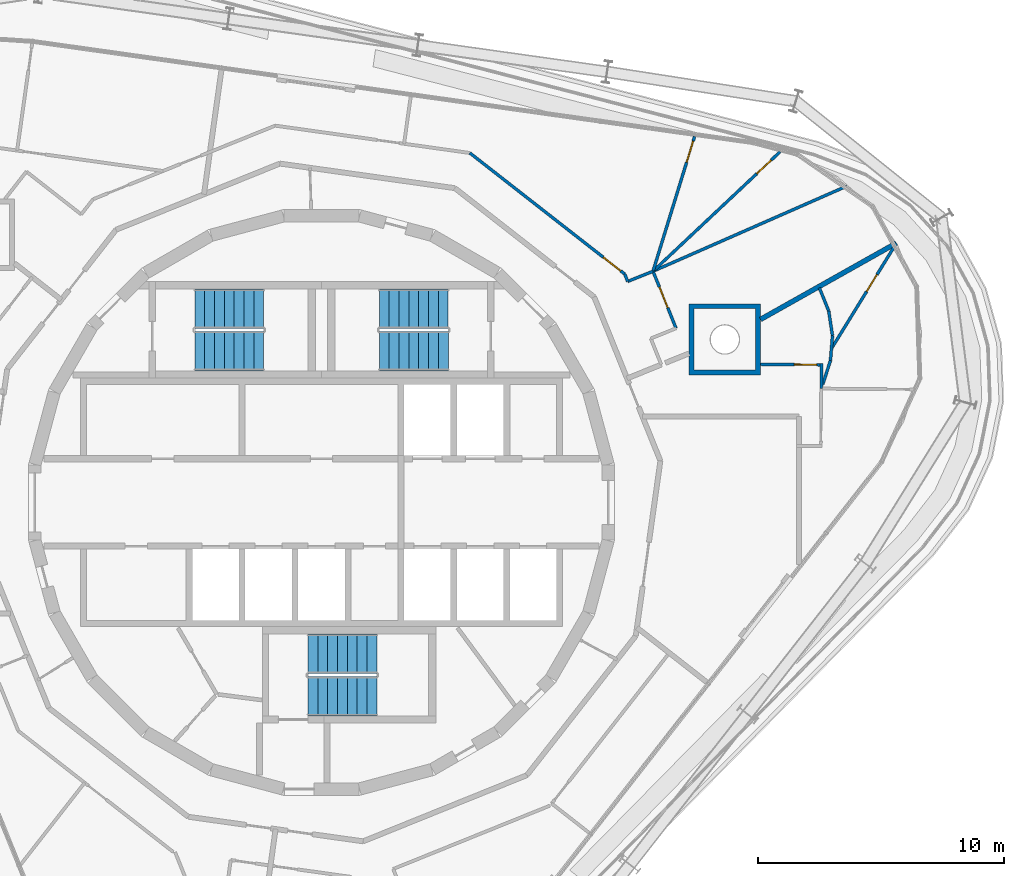
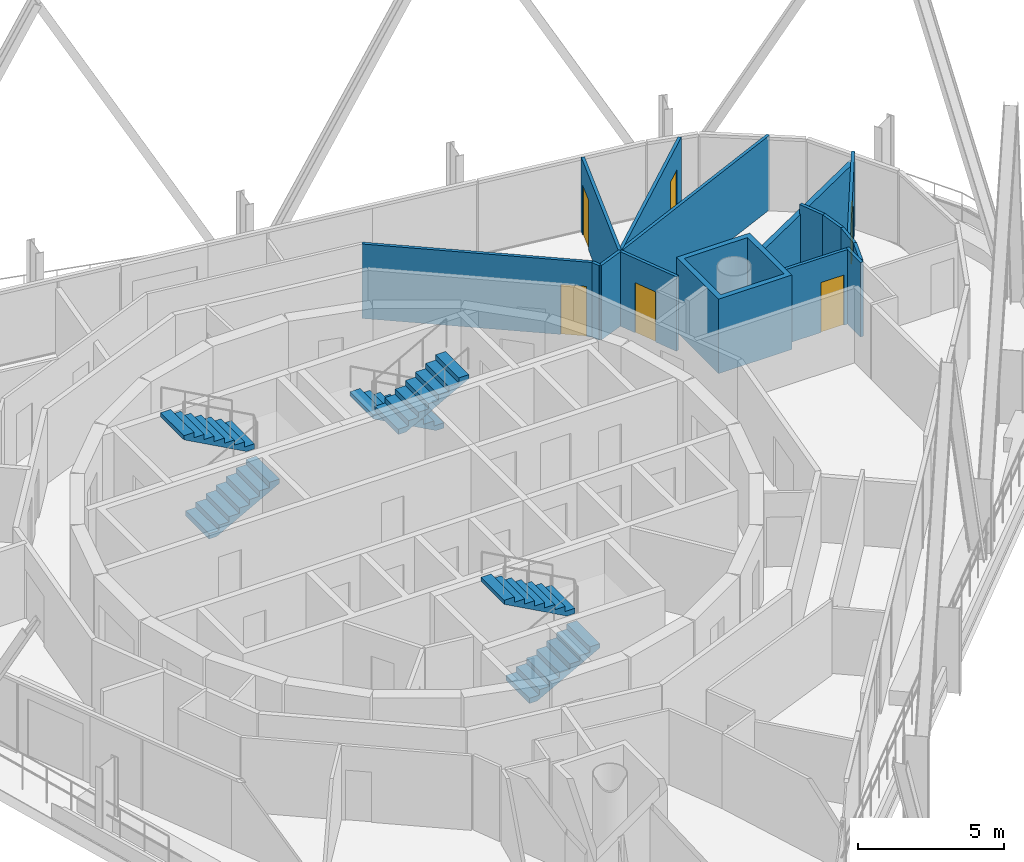
# One storey, part 14 of 17: 16 walls, 6 doors, 6 stair flights, 6 openings, 3 elements without a shape of their own.
"""IFC4 building model written with IfcOpenShell, lengths in metres."""

from ifc_helpers import new_model, si_unit, direction, frame, frame_2d, origin, place, context, subcontext, project, spatial, polyline, rectangle, outline, extrude, material, layer, layer_set, type_object, element, fill, aggregate, save


model = new_model("IFC4")

# Units and contexts
model_context = context("Model", 3, precision=1e-05, world=origin(), true_north=direction((0.0, 1.0)))
body_context = subcontext(model_context, "Body", "Model", "MODEL_VIEW")
ifc_project = project(units=[si_unit("LENGTHUNIT", "METRE"), si_unit("AREAUNIT", "SQUARE_METRE"), si_unit("VOLUMEUNIT", "CUBIC_METRE"), si_unit("PLANEANGLEUNIT", "RADIAN"), si_unit("MASSUNIT", "GRAM", prefix="KILO")], contexts=[model_context])

# Site, building, storey
site_placement = place(None, origin())
site = spatial("IfcSite", under=ifc_project, at=site_placement, CompositionType="ELEMENT")
building_placement = place(site_placement, origin())
building = spatial("IfcBuilding", under=site, at=building_placement, Name="Spindle Arch Residences", CompositionType="ELEMENT")
storey_placement = place(building_placement, frame((0.0, 0.0, 333.0)))
storey = spatial("IfcBuildingStorey", under=building, at=storey_placement, Name="L85", CompositionType="ELEMENT", Elevation=333.0)

# Wall
ifc_material_1 = material(Name="Plasterboard on steel studs", Category="steel")
ifc_layer_1 = layer(ifc_material_1, 0.1201171875)
ifc_layer_set_1 = layer_set([ifc_layer_1], Name="Flat partition 120")
wall_type_1 = type_object("IfcWallType", Name="Flat partition 120", PredefinedType="PARTITIONING", material=ifc_layer_set_1)
wall_1_placement = place(storey_placement, frame((20.30615234375, 4.638671875, 0.0), z_axis=(0.0, 0.0, 1.0), x_axis=(0.008906724211, 0.999960334345, 0.0)))
element("IfcWall", 1, at=wall_1_placement, inside=storey, type_object=wall_type_1, Name="Flat partition R9A0-W033", PredefinedType="PARTITIONING", context=body_context, shape_type="SweptSolid", body=[
    extrude(rectangle(XDim=1.01416015625, YDim=0.1201171875, at=frame_2d((0.507080078125, 0.0))), origin(), (0.0, 0.0, 1.0), 3.1201171875),
])

# Wall, opening, door
wall_2_placement = place(storey_placement, frame((20.314697265625, 5.593017578125, 0.0), z_axis=(0.0, 0.0, 1.0), x_axis=(-0.999960597409, 0.008877140833, 0.0)))
wall_2 = element("IfcWall", 2, at=wall_2_placement, inside=storey, type_object=wall_type_1, Name="Flat partition R9A0-W034", PredefinedType="PARTITIONING", context=body_context, shape_type="SweptSolid", body=[
    extrude(rectangle(XDim=2.47509765625, YDim=0.1201171875, at=frame_2d((1.237548828125, 0.0))), origin(), (0.0, 0.0, 1.0), 3.1201171875),
])
opening_1_placement = place(wall_2_placement, frame((0.199951171875, 0.0, 0.0)))
opening_1 = element("IfcOpeningElement", 3, at=opening_1_placement, cuts=wall_2, Name="Opening R9A0-ID02", PredefinedType="OPENING", context=body_context, shape_type="SweptSolid", body=[
    extrude(rectangle(XDim=0.89990234375, YDim=2.10009765625, at=frame_2d((0.449951171875, 1.050048828125))), frame((0.0, 0.070068359375, 0.0), z_axis=(0.0, -1.0, 0.0), x_axis=(1.0, 0.0, 0.0)), (0.0, 0.0, 1.0), 0.14013671875),
])
ifc_material_2 = material(Name="Timber door set", Category="wood")
door_type_1 = type_object("IfcDoorType", Name="Room door 900x2100", OperationType="NOTDEFINED", PredefinedType="DOOR", material=ifc_material_2)
door_1_placement = place(opening_1_placement, origin())
door_1 = element("IfcDoor", 4, at=door_1_placement, inside=storey, type_object=door_type_1, Name="Room door R9A0-ID02", OperationType="SINGLE_SWING_RIGHT", OverallHeight=2.10009765625, OverallWidth=0.89990234375, PredefinedType="DOOR", context=body_context, shape_type="SweptSolid", body=[
    extrude(rectangle(XDim=0.89990234375, YDim=2.10009765625, at=frame_2d((0.449951171875, 1.050048828125))), frame((0.0, 0.02490234375, 0.0), z_axis=(0.0, -1.0, 0.0), x_axis=(1.0, 0.0, 0.0)), (0.0, 0.0, 1.0), 0.050048828125),
])
fill(opening_1, door_1)

# Walls
wall_3_placement = place(storey_placement, frame((20.762451171875, 6.774658203125, 0.0), z_axis=(0.0, 0.0, 1.0), x_axis=(-0.08121587, -0.996696534789, 0.0)))
element("IfcWall", 5, at=wall_3_placement, inside=storey, type_object=wall_type_1, Name="Flat partition R9A0-W036", PredefinedType="PARTITIONING", context=body_context, shape_type="SweptSolid", body=[
    extrude(rectangle(XDim=1.01611328125, YDim=0.1201171875, at=frame_2d((0.508056640625, 0.0))), origin(), (0.0, 0.0, 1.0), 3.1201171875),
])
wall_4_placement = place(storey_placement, frame((20.679931640625, 5.761962890625, 0.0), z_axis=(0.0, 0.0, 1.0), x_axis=(-0.30908063779, -0.951035834942, 0.0)))
element("IfcWall", 6, at=wall_4_placement, inside=storey, type_object=wall_type_1, Name="Flat partition R9A0-W037", PredefinedType="PARTITIONING", context=body_context, shape_type="SweptSolid", body=[
    extrude(rectangle(XDim=1.015869140625, YDim=0.1201171875, at=frame_2d((0.5078125, 0.0))), origin(), (0.0, 0.0, 1.0), 3.1201171875),
])

# Wall, opening, door
wall_5_placement = place(storey_placement, frame((23.357421875, 10.532470703125, 0.0), z_axis=(0.0, 0.0, 1.0), x_axis=(-0.524476563806, -0.851424884542, 0.0)))
wall_5 = element("IfcWall", 7, at=wall_5_placement, inside=storey, type_object=wall_type_1, Name="Flat partition R9A0-W038", PredefinedType="PARTITIONING", context=body_context, shape_type="SweptSolid", body=[
    extrude(rectangle(XDim=5.029296875, YDim=0.1201171875, at=frame_2d((2.5146484375, 0.0))), origin(), (0.0, 0.0, 1.0), 3.1201171875),
])
opening_2_placement = place(wall_5_placement, frame((1.5, 0.0, 0.0)))
opening_2 = element("IfcOpeningElement", 8, at=opening_2_placement, cuts=wall_5, Name="Opening R9A0-BD01", PredefinedType="OPENING", context=body_context, shape_type="SweptSolid", body=[
    extrude(rectangle(XDim=0.800048828125, YDim=2.10009765625, at=frame_2d((0.39990234375, 1.050048828125))), frame((0.0, 0.070068359375, 0.0), z_axis=(0.0, -1.0, 0.0), x_axis=(1.0, 0.0, 0.0)), (0.0, 0.0, 1.0), 0.14013671875),
])
ifc_material_3 = material(Name="Timber door set", Category="wood")
door_type_2 = type_object("IfcDoorType", Name="Bathroom door 800x2100", OperationType="NOTDEFINED", PredefinedType="DOOR", material=ifc_material_3)
door_2_placement = place(opening_2_placement, origin())
door_2 = element("IfcDoor", 9, at=door_2_placement, inside=storey, type_object=door_type_2, Name="Bathroom door R9A0-BD01", OperationType="SINGLE_SWING_RIGHT", OverallHeight=2.10009765625, OverallWidth=0.800048828125, PredefinedType="DOOR", context=body_context, shape_type="SweptSolid", body=[
    extrude(rectangle(XDim=0.800048828125, YDim=2.10009765625, at=frame_2d((0.39990234375, 1.050048828125))), frame((0.0, 0.02490234375, 0.0), z_axis=(0.0, -1.0, 0.0), x_axis=(1.0, 0.0, 0.0)), (0.0, 0.0, 1.0), 0.050048828125),
])
fill(opening_2, door_2)

# Walls
wall_6_placement = place(storey_placement, frame((20.762451171875, 6.774658203125, 0.0), z_axis=(0.0, 0.0, 1.0), x_axis=(-0.150702440861, 0.988579169474, 0.0)))
element("IfcWall", 10, at=wall_6_placement, inside=storey, type_object=wall_type_1, Name="Flat partition R9A0-W039", PredefinedType="PARTITIONING", context=body_context, shape_type="SweptSolid", body=[
    extrude(rectangle(XDim=1.015869140625, YDim=0.1201171875, at=frame_2d((0.5078125, 0.0))), origin(), (0.0, 0.0, 1.0), 3.1201171875),
])
wall_7_placement = place(storey_placement, frame((20.609375, 7.77880859375, 0.0), z_axis=(0.0, 0.0, 1.0), x_axis=(-0.374371668856, 0.927278735633, 0.0)))
element("IfcWall", 11, at=wall_7_placement, inside=storey, type_object=wall_type_1, Name="Flat partition R9A0-W040", PredefinedType="PARTITIONING", context=body_context, shape_type="SweptSolid", body=[
    extrude(rectangle(XDim=1.01611328125, YDim=0.1201171875, at=frame_2d((0.508056640625, 0.0))), origin(), (0.0, 0.0, 1.0), 3.1201171875),
])

# Wall, opening, door
wall_8_placement = place(storey_placement, frame((14.406494140625, 7.076416015625, 0.0), z_axis=(0.0, 0.0, 1.0), x_axis=(-0.374503415005, 0.927225534673, 0.0)))
wall_8 = element("IfcWall", 12, at=wall_8_placement, inside=storey, type_object=wall_type_1, Name="Flat partition R9A0-W043", PredefinedType="PARTITIONING", context=body_context, shape_type="SweptSolid", body=[
    extrude(rectangle(XDim=2.5, YDim=0.1201171875, at=frame_2d((1.25, 0.0))), origin(), (0.0, 0.0, 1.0), 3.1201171875),
])
opening_3_placement = place(wall_8_placement, frame((0.89990234375, 0.0, 0.0)))
opening_3 = element("IfcOpeningElement", 13, at=opening_3_placement, cuts=wall_8, Name="Opening R9A0-ID04", PredefinedType="OPENING", context=body_context, shape_type="SweptSolid", body=[
    extrude(rectangle(XDim=0.89990234375, YDim=2.10009765625, at=frame_2d((0.449951171875, 1.050048828125))), frame((0.0, 0.070068359375, 0.0), z_axis=(0.0, -1.0, 0.0), x_axis=(1.0, 0.0, 0.0)), (0.0, 0.0, 1.0), 0.14013671875),
])
door_3_placement = place(opening_3_placement, origin())
door_3 = element("IfcDoor", 14, at=door_3_placement, inside=storey, type_object=door_type_1, Name="Room door R9A0-ID04", OperationType="SINGLE_SWING_LEFT", OverallHeight=2.10009765625, OverallWidth=0.89990234375, PredefinedType="DOOR", context=body_context, shape_type="SweptSolid", body=[
    extrude(rectangle(XDim=0.89990234375, YDim=2.10009765625, at=frame_2d((0.449951171875, 1.050048828125))), frame((0.0, 0.02490234375, 0.0), z_axis=(0.0, -1.0, 0.0), x_axis=(1.0, 0.0, 0.0)), (0.0, 0.0, 1.0), 0.050048828125),
])
fill(opening_3, door_3)

# Walls
wall_9_placement = place(storey_placement, frame((13.47021484375, 9.39453125, 0.0), z_axis=(0.0, 0.0, 1.0), x_axis=(-0.927180061276, -0.374615982003, 0.0)))
element("IfcWall", 15, at=wall_9_placement, inside=storey, type_object=wall_type_1, Name="Flat partition R9A0-W044", PredefinedType="PARTITIONING", context=body_context, shape_type="SweptSolid", body=[
    extrude(rectangle(XDim=1.108642578125, YDim=0.1201171875, at=frame_2d((0.55419921875, 0.0))), origin(), (0.0, 0.0, 1.0), 3.1201171875),
])
wall_10_placement = place(storey_placement, frame((12.4423828125, 8.979248046875, 0.0), z_axis=(0.0, 0.0, 1.0), x_axis=(-0.374979656603, 0.927033039936, 0.0)))
element("IfcWall", 16, at=wall_10_placement, inside=storey, type_object=wall_type_1, Name="Flat partition R9A0-W045", PredefinedType="PARTITIONING", context=body_context, shape_type="SweptSolid", body=[
    extrude(rectangle(XDim=0.328125, YDim=0.1201171875, at=frame_2d((0.1640625, 0.0))), origin(), (0.0, 0.0, 1.0), 3.1201171875),
])

# Wall, opening, door
wall_11_placement = place(storey_placement, frame((12.3193359375, 9.283447265625, 0.0), z_axis=(0.0, 0.0, 1.0), x_axis=(-0.788000268464, 0.61567489546, 0.0)))
wall_11 = element("IfcWall", 17, at=wall_11_placement, inside=storey, type_object=wall_type_1, Name="Flat partition R9A0-W046", PredefinedType="PARTITIONING", context=body_context, shape_type="SweptSolid", body=[
    extrude(rectangle(XDim=7.98486328125, YDim=0.1201171875, at=frame_2d((3.992431640625, 0.0))), origin(), (0.0, 0.0, 1.0), 3.1201171875),
])
opening_4_placement = place(wall_11_placement, frame((0.199951171875, 0.0, 0.0)))
opening_4 = element("IfcOpeningElement", 18, at=opening_4_placement, cuts=wall_11, Name="Opening R9A0-ID05", PredefinedType="OPENING", context=body_context, shape_type="SweptSolid", body=[
    extrude(rectangle(XDim=0.89990234375, YDim=2.10009765625, at=frame_2d((0.449951171875, 1.050048828125))), frame((0.0, 0.070068359375, 0.0), z_axis=(0.0, -1.0, 0.0), x_axis=(1.0, 0.0, 0.0)), (0.0, 0.0, 1.0), 0.14013671875),
])
door_4_placement = place(opening_4_placement, origin())
door_4 = element("IfcDoor", 19, at=door_4_placement, inside=storey, type_object=door_type_1, Name="Room door R9A0-ID05", OperationType="SINGLE_SWING_LEFT", OverallHeight=2.10009765625, OverallWidth=0.89990234375, PredefinedType="DOOR", context=body_context, shape_type="SweptSolid", body=[
    extrude(rectangle(XDim=0.89990234375, YDim=2.10009765625, at=frame_2d((0.449951171875, 1.050048828125))), frame((0.0, 0.02490234375, 0.0), z_axis=(0.0, -1.0, 0.0), x_axis=(1.0, 0.0, 0.0)), (0.0, 0.0, 1.0), 0.050048828125),
])
fill(opening_4, door_4)

# Wall
wall_12_placement = place(storey_placement, frame((21.33837890625, 12.851318359375, 0.0), z_axis=(0.0, 0.0, 1.0), x_axis=(-0.915538158579, -0.402231127818, 0.0)))
element("IfcWall", 20, at=wall_12_placement, inside=storey, type_object=wall_type_1, Name="Flat partition R9A0-W049", PredefinedType="PARTITIONING", context=body_context, shape_type="SweptSolid", body=[
    extrude(rectangle(XDim=8.593994140625, YDim=0.1201171875, at=frame_2d((4.296875, 0.0))), origin(), (0.0, 0.0, 1.0), 3.1201171875),
])

# Wall, opening, door
wall_13_placement = place(storey_placement, frame((18.63330078125, 14.248291015625, 0.0), z_axis=(0.0, 0.0, 1.0), x_axis=(-0.728595344908, -0.684944394369, 0.0)))
wall_13 = element("IfcWall", 21, at=wall_13_placement, inside=storey, type_object=wall_type_1, Name="Flat partition R9A0-W050", PredefinedType="PARTITIONING", context=body_context, shape_type="SweptSolid", body=[
    extrude(rectangle(XDim=7.08642578125, YDim=0.1201171875, at=frame_2d((3.543212890625, 0.0))), origin(), (0.0, 0.0, 1.0), 3.1201171875),
])
opening_5_placement = place(wall_13_placement, frame((0.5, 0.0, 0.0)))
opening_5 = element("IfcOpeningElement", 22, at=opening_5_placement, cuts=wall_13, Name="Opening R9A0-BD02", PredefinedType="OPENING", context=body_context, shape_type="SweptSolid", body=[
    extrude(rectangle(XDim=0.800048828125, YDim=2.10009765625, at=frame_2d((0.39990234375, 1.050048828125))), frame((0.0, 0.070068359375, 0.0), z_axis=(0.0, -1.0, 0.0), x_axis=(1.0, 0.0, 0.0)), (0.0, 0.0, 1.0), 0.14013671875),
])
door_5_placement = place(opening_5_placement, origin())
door_5 = element("IfcDoor", 23, at=door_5_placement, inside=storey, type_object=door_type_2, Name="Bathroom door R9A0-BD02", OperationType="SINGLE_SWING_LEFT", OverallHeight=2.10009765625, OverallWidth=0.800048828125, PredefinedType="DOOR", context=body_context, shape_type="SweptSolid", body=[
    extrude(rectangle(XDim=0.800048828125, YDim=2.10009765625, at=frame_2d((0.39990234375, 1.050048828125))), frame((0.0, 0.02490234375, 0.0), z_axis=(0.0, -1.0, 0.0), x_axis=(1.0, 0.0, 0.0)), (0.0, 0.0, 1.0), 0.050048828125),
])
fill(opening_5, door_5)

wall_14_placement = place(storey_placement, frame((15.16015625, 14.873291015625, 0.0), z_axis=(0.0, 0.0, 1.0), x_axis=(-0.294750051258, -0.955574386055, 0.0)))
wall_14 = element("IfcWall", 24, at=wall_14_placement, inside=storey, type_object=wall_type_1, Name="Flat partition R9A0-W051", PredefinedType="PARTITIONING", context=body_context, shape_type="SweptSolid", body=[
    extrude(rectangle(XDim=5.7333984375, YDim=0.1201171875, at=frame_2d((2.86669921875, 0.0))), origin(), (0.0, 0.0, 1.0), 3.1201171875),
])
opening_6_placement = place(wall_14_placement, frame((0.199951171875, 0.0, 0.0)))
opening_6 = element("IfcOpeningElement", 25, at=opening_6_placement, cuts=wall_14, Name="Opening R9A0-ID07", PredefinedType="OPENING", context=body_context, shape_type="SweptSolid", body=[
    extrude(rectangle(XDim=0.89990234375, YDim=2.10009765625, at=frame_2d((0.449951171875, 1.050048828125))), frame((0.0, 0.070068359375, 0.0), z_axis=(0.0, -1.0, 0.0), x_axis=(1.0, 0.0, 0.0)), (0.0, 0.0, 1.0), 0.14013671875),
])
door_6_placement = place(opening_6_placement, origin())
door_6 = element("IfcDoor", 26, at=door_6_placement, inside=storey, type_object=door_type_1, Name="Room door R9A0-ID07", OperationType="SINGLE_SWING_LEFT", OverallHeight=2.10009765625, OverallWidth=0.89990234375, PredefinedType="DOOR", context=body_context, shape_type="SweptSolid", body=[
    extrude(rectangle(XDim=0.89990234375, YDim=2.10009765625, at=frame_2d((0.449951171875, 1.050048828125))), frame((0.0, 0.02490234375, 0.0), z_axis=(0.0, -1.0, 0.0), x_axis=(1.0, 0.0, 0.0)), (0.0, 0.0, 1.0), 0.050048828125),
])
fill(opening_6, door_6)

# Walls
ifc_material_4 = material(Name="Calcium silicate block, plastered")
ifc_layer_2 = layer(ifc_material_4, 0.199951171875)
ifc_layer_set_2 = layer_set([ifc_layer_2], Name="Flat party wall 200 under beam 2730")
wall_type_2 = type_object("IfcWallType", Name="Flat party wall 200 under beam 2730", PredefinedType="STANDARD", material=ifc_layer_set_2)
wall_15_placement = place(storey_placement, frame((23.354248046875, 10.536865234375, 0.0), z_axis=(0.0, 0.0, 1.0), x_axis=(-0.871719790551, -0.490004700754, 0.0)))
element("IfcWall", 27, at=wall_15_placement, inside=storey, type_object=wall_type_2, Name="Flat party wall R9A0-W025", PredefinedType="STANDARD", context=body_context, shape_type="SweptSolid", body=[
    extrude(rectangle(XDim=6.326171875, YDim=0.199951171875, at=frame_2d((3.1630859375, 0.0))), origin(), (0.0, 0.0, 1.0), 2.72998046875),
])
ifc_material_5 = material(Name="Calcium silicate block, plastered")
ifc_layer_3 = layer(ifc_material_5, 0.199951171875)
ifc_layer_set_3 = layer_set([ifc_layer_3], Name="Mega-column casing wall 200")
wall_type_3 = type_object("IfcWallType", Name="Mega-column casing wall 200", PredefinedType="STANDARD", material=ifc_layer_set_3)
wall_16_placement = place(storey_placement, origin())
element("IfcWall", 28, at=wall_16_placement, inside=storey, type_object=wall_type_3, Name="Mega-column casing wall R9A0-WC01", PredefinedType="STANDARD", context=body_context, shape_type="SweptSolid", body=[
    extrude(outline(polyline([(17.839599609375, 8.072021484375), (17.839599609375, 5.171875), (14.939697265625, 5.171875), (14.939697265625, 8.072021484375), (17.839599609375, 8.072021484375)]), holes=[polyline([(15.1396484375, 5.371826171875), (17.6396484375, 5.371826171875), (17.6396484375, 7.871826171875), (15.1396484375, 7.871826171875), (15.1396484375, 5.371826171875)])]), origin(), (0.0, 0.0, 1.0), 3.1201171875),
])

# Stair, stair flights
ifc_material_6 = material(Name="Concrete C50/60", Category="concrete")
stair_type = type_object("IfcStairType", Name="Exit stair 16 risers", PredefinedType="HALF_TURN_STAIR", material=ifc_material_6)
stair_1_placement = place(storey_placement, origin())
stair_1 = element("IfcStair", 29, at=stair_1_placement, inside=storey, type_object=stair_type, Name="L85 Exit stair ST1", PredefinedType="HALF_TURN_STAIR")
ifc_material_7 = material(Name="Concrete C50/60", Category="concrete")
stair_flight_type = type_object("IfcStairFlightType", Name="Exit stair flight", PredefinedType="STRAIGHT", material=ifc_material_7)
stair_flight_1_placement = place(storey_placement, frame((5.14990234375, 7.8701171875, 0.0), z_axis=(0.0, 0.0, 1.0), x_axis=(-1.0, 0.0, 0.0)))
stair_flight_1 = element("IfcStairFlight", 30, at=stair_flight_1_placement, type_object=stair_flight_type, Name="ST1 flight 1", NumberOfRisers=8, NumberOfTreads=7, PredefinedType="STRAIGHT", RiserHeight=0.21875, TreadLength=0.4, context=body_context, shape_type="SweptSolid", body=[
    extrude(outline(polyline([(0.0, 0.0), (0.0, 0.21875), (0.39990234375, 0.21875), (0.39990234375, 0.4375), (0.800048828125, 0.4375), (0.800048828125, 0.65625), (1.199951171875, 0.65625), (1.199951171875, 0.875), (1.60009765625, 0.875), (1.60009765625, 1.09375), (2.0, 1.09375), (2.0, 1.3125), (2.39990234375, 1.3125), (2.39990234375, 1.53125), (2.800048828125, 1.53125), (2.800048828125, 1.75), (2.800048828125, 1.3603515625), (0.3125, 0.0), (0.0, 0.0)])), frame((0.0, 0.800048828125, 0.0), z_axis=(0.0, -1.0, 0.0), x_axis=(1.0, 0.0, 0.0)), (0.0, 0.0, 1.0), 1.60009765625),
])
stair_flight_2_placement = place(storey_placement, frame((2.35009765625, 6.14990234375, 1.75), z_axis=(0.0, 0.0, 1.0), x_axis=(1.0, 0.0, 0.0)))
stair_flight_2 = element("IfcStairFlight", 31, at=stair_flight_2_placement, type_object=stair_flight_type, Name="ST1 flight 2", NumberOfRisers=8, NumberOfTreads=7, PredefinedType="STRAIGHT", RiserHeight=0.21875, TreadLength=0.4, context=body_context, shape_type="SweptSolid", body=[
    extrude(outline(polyline([(0.0, 0.0), (0.0, 0.21875), (0.39990234375, 0.21875), (0.39990234375, 0.4375), (0.800048828125, 0.4375), (0.800048828125, 0.65625), (1.199951171875, 0.65625), (1.199951171875, 0.875), (1.60009765625, 0.875), (1.60009765625, 1.09375), (2.0, 1.09375), (2.0, 1.3125), (2.39990234375, 1.3125), (2.39990234375, 1.53125), (2.800048828125, 1.53125), (2.800048828125, 1.75), (2.800048828125, 1.3603515625), (0.3125, 0.0), (0.0, 0.0)])), frame((0.0, 0.800048828125, 0.0), z_axis=(0.0, -1.0, 0.0), x_axis=(1.0, 0.0, 0.0)), (0.0, 0.0, 1.0), 1.60009765625),
])
aggregate(stair_1, [stair_flight_1, stair_flight_2])

stair_2_placement = place(storey_placement, origin())
stair_2 = element("IfcStair", 32, at=stair_2_placement, inside=storey, type_object=stair_type, Name="L85 Exit stair ST2", PredefinedType="HALF_TURN_STAIR")
stair_flight_3_placement = place(storey_placement, frame((-5.14990234375, 6.14990234375, 0.0), z_axis=(0.0, 0.0, 1.0), x_axis=(1.0, 0.0, 0.0)))
stair_flight_3 = element("IfcStairFlight", 33, at=stair_flight_3_placement, type_object=stair_flight_type, Name="ST2 flight 1", NumberOfRisers=8, NumberOfTreads=7, PredefinedType="STRAIGHT", RiserHeight=0.21875, TreadLength=0.4, context=body_context, shape_type="SweptSolid", body=[
    extrude(outline(polyline([(0.0, 0.0), (0.0, 0.21875), (0.39990234375, 0.21875), (0.39990234375, 0.4375), (0.800048828125, 0.4375), (0.800048828125, 0.65625), (1.199951171875, 0.65625), (1.199951171875, 0.875), (1.60009765625, 0.875), (1.60009765625, 1.09375), (2.0, 1.09375), (2.0, 1.3125), (2.39990234375, 1.3125), (2.39990234375, 1.53125), (2.800048828125, 1.53125), (2.800048828125, 1.75), (2.800048828125, 1.3603515625), (0.3125, 0.0), (0.0, 0.0)])), frame((0.0, 0.800048828125, 0.0), z_axis=(0.0, -1.0, 0.0), x_axis=(1.0, 0.0, 0.0)), (0.0, 0.0, 1.0), 1.60009765625),
])
stair_flight_4_placement = place(storey_placement, frame((-2.35009765625, 7.8701171875, 1.75), z_axis=(0.0, 0.0, 1.0), x_axis=(-1.0, 0.0, 0.0)))
stair_flight_4 = element("IfcStairFlight", 34, at=stair_flight_4_placement, type_object=stair_flight_type, Name="ST2 flight 2", NumberOfRisers=8, NumberOfTreads=7, PredefinedType="STRAIGHT", RiserHeight=0.21875, TreadLength=0.4, context=body_context, shape_type="SweptSolid", body=[
    extrude(outline(polyline([(0.0, 0.0), (0.0, 0.21875), (0.39990234375, 0.21875), (0.39990234375, 0.4375), (0.800048828125, 0.4375), (0.800048828125, 0.65625), (1.199951171875, 0.65625), (1.199951171875, 0.875), (1.60009765625, 0.875), (1.60009765625, 1.09375), (2.0, 1.09375), (2.0, 1.3125), (2.39990234375, 1.3125), (2.39990234375, 1.53125), (2.800048828125, 1.53125), (2.800048828125, 1.75), (2.800048828125, 1.3603515625), (0.3125, 0.0), (0.0, 0.0)])), frame((0.0, 0.800048828125, 0.0), z_axis=(0.0, -1.0, 0.0), x_axis=(1.0, 0.0, 0.0)), (0.0, 0.0, 1.0), 1.60009765625),
])
aggregate(stair_2, [stair_flight_3, stair_flight_4])

stair_3_placement = place(storey_placement, origin())
stair_3 = element("IfcStair", 35, at=stair_3_placement, inside=storey, type_object=stair_type, Name="L85 Exit stair ST3", PredefinedType="HALF_TURN_STAIR")
stair_flight_5_placement = place(storey_placement, frame((-0.550048828125, -7.8701171875, 0.0), z_axis=(0.0, 0.0, 1.0), x_axis=(1.0, 0.0, 0.0)))
stair_flight_5 = element("IfcStairFlight", 36, at=stair_flight_5_placement, type_object=stair_flight_type, Name="ST3 flight 1", NumberOfRisers=8, NumberOfTreads=7, PredefinedType="STRAIGHT", RiserHeight=0.21875, TreadLength=0.4, context=body_context, shape_type="SweptSolid", body=[
    extrude(outline(polyline([(0.0, 0.0), (0.0, 0.21875), (0.39990234375, 0.21875), (0.39990234375, 0.4375), (0.800048828125, 0.4375), (0.800048828125, 0.65625), (1.199951171875, 0.65625), (1.199951171875, 0.875), (1.60009765625, 0.875), (1.60009765625, 1.09375), (2.0, 1.09375), (2.0, 1.3125), (2.39990234375, 1.3125), (2.39990234375, 1.53125), (2.800048828125, 1.53125), (2.800048828125, 1.75), (2.800048828125, 1.3603515625), (0.3125, 0.0), (0.0, 0.0)])), frame((0.0, 0.800048828125, 0.0), z_axis=(0.0, -1.0, 0.0), x_axis=(1.0, 0.0, 0.0)), (0.0, 0.0, 1.0), 1.60009765625),
])
stair_flight_6_placement = place(storey_placement, frame((2.25, -6.14990234375, 1.75), z_axis=(0.0, 0.0, 1.0), x_axis=(-1.0, 0.0, 0.0)))
stair_flight_6 = element("IfcStairFlight", 37, at=stair_flight_6_placement, type_object=stair_flight_type, Name="ST3 flight 2", NumberOfRisers=8, NumberOfTreads=7, PredefinedType="STRAIGHT", RiserHeight=0.21875, TreadLength=0.4, context=body_context, shape_type="SweptSolid", body=[
    extrude(outline(polyline([(0.0, 0.0), (0.0, 0.21875), (0.39990234375, 0.21875), (0.39990234375, 0.4375), (0.800048828125, 0.4375), (0.800048828125, 0.65625), (1.199951171875, 0.65625), (1.199951171875, 0.875), (1.60009765625, 0.875), (1.60009765625, 1.09375), (2.0, 1.09375), (2.0, 1.3125), (2.39990234375, 1.3125), (2.39990234375, 1.53125), (2.800048828125, 1.53125), (2.800048828125, 1.75), (2.800048828125, 1.3603515625), (0.3125, 0.0), (0.0, 0.0)])), frame((0.0, 0.800048828125, 0.0), z_axis=(0.0, -1.0, 0.0), x_axis=(1.0, 0.0, 0.0)), (0.0, 0.0, 1.0), 1.60009765625),
])
aggregate(stair_3, [stair_flight_5, stair_flight_6])

save(model, "model.ifc")
